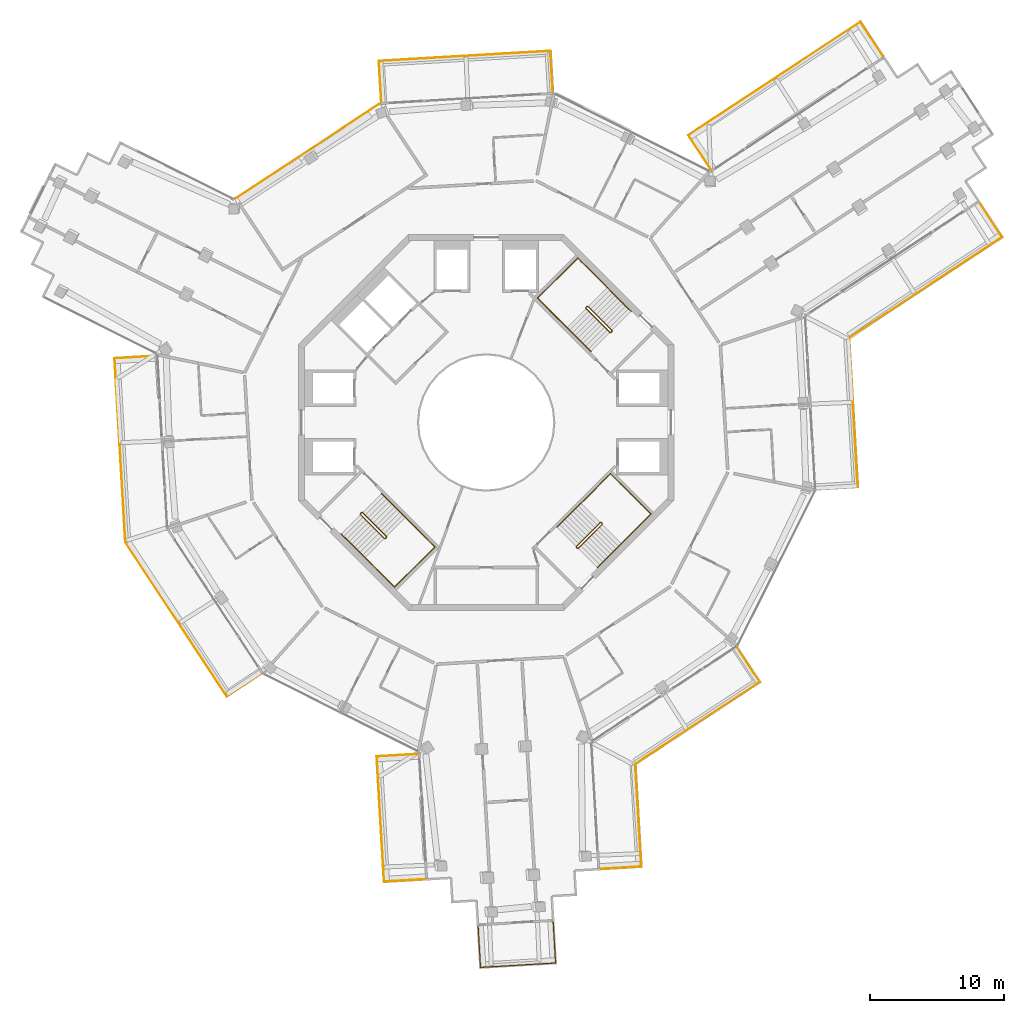
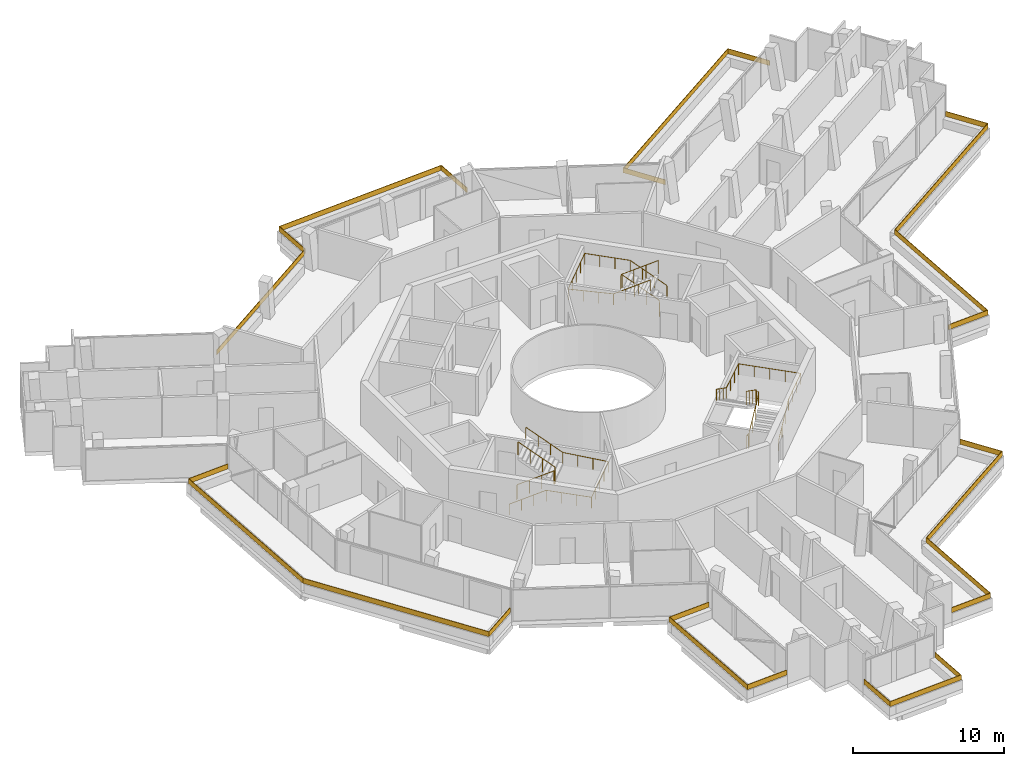
# One storey, part 26 of 26: 14 railings.
"""IFC4 building model written with IfcOpenShell, lengths in metres."""

from ifc_helpers import new_model, si_unit, direction, frame, origin, origin_2d, place, context, subcontext, project, spatial, polyline, rectangle, circle, outline, extrude, material, layer, layer_set, type_object, element, save


model = new_model("IFC4")

# Units and contexts
model_context = context("Model", 3, precision=1e-05, world=origin(), true_north=direction((0.0, 1.0)))
body_context = subcontext(model_context, "Body", "Model", "MODEL_VIEW")
ifc_project = project(units=[si_unit("LENGTHUNIT", "METRE"), si_unit("AREAUNIT", "SQUARE_METRE"), si_unit("VOLUMEUNIT", "CUBIC_METRE"), si_unit("PLANEANGLEUNIT", "RADIAN"), si_unit("MASSUNIT", "GRAM", prefix="KILO")], contexts=[model_context])

# Site, building, storey
site_placement = place(None, origin())
site = spatial("IfcSite", under=ifc_project, at=site_placement, CompositionType="ELEMENT")
building_placement = place(site_placement, origin())
building = spatial("IfcBuilding", under=site, at=building_placement, Name="Verdalira Terraces Hotel", CompositionType="ELEMENT")
storey_placement = place(building_placement, frame((0.0, 0.0, 291.5)))
storey = spatial("IfcBuildingStorey", under=building, at=storey_placement, Name="L72", CompositionType="ELEMENT", Elevation=291.5)

# Railings
ifc_material_1 = material(Name="Laminated glass", Category="glass")
ifc_layer = layer(ifc_material_1, 0.0400390625)
ifc_layer_set = layer_set([ifc_layer], Name="Balcony glass guard 400")
railing_type_1 = type_object("IfcRailingType", Name="Balcony glass guard 400", PredefinedType="GUARDRAIL", material=ifc_layer_set)
railing_1_placement = place(storey_placement, frame((0.0, 0.0, 0.699951)))
element("IfcRailing", 1, at=railing_1_placement, inside=storey, type_object=railing_type_1, Name="Balcony glass guard", PredefinedType="GUARDRAIL", context=body_context, shape_type="SweptSolid", body=[
    extrude(outline(polyline([(-27.665283, 4.766846), (-26.862061, -8.915039), (-19.325439, -20.362061), (-16.753906, -18.668945), (-16.731934, -18.702393), (-19.336914, -20.41748), (-26.901367, -8.927979), (-27.70752, 4.804443), (-24.593994, 4.987061), (-24.591553, 4.947266), (-27.665283, 4.766846)])), origin(), (0.0, 0.0, 1.0), 0.400146),
])
railing_2_placement = place(storey_placement, frame((0.0, 0.0, 0.699951)))
element("IfcRailing", 2, at=railing_2_placement, inside=storey, type_object=railing_type_1, Name="Balcony glass guard", PredefinedType="GUARDRAIL", context=body_context, shape_type="SweptSolid", body=[
    extrude(outline(polyline([(-8.134766, -24.897949), (-7.589111, -34.189453), (-4.515625, -34.009033), (-4.513184, -34.048828), (-7.626709, -34.231689), (-8.177002, -24.860352), (-5.063477, -24.67749), (-5.061035, -24.717529), (-8.134766, -24.897949)])), origin(), (0.0, 0.0, 1.0), 0.400146),
])
railing_3_placement = place(storey_placement, frame((0.0, 0.0, 0.699951)))
element("IfcRailing", 3, at=railing_3_placement, inside=storey, type_object=railing_type_1, Name="Balcony glass guard", PredefinedType="GUARDRAIL", context=body_context, shape_type="SweptSolid", body=[
    extrude(outline(polyline([(-0.402344, -40.579102), (5.148193, -40.253174), (4.967529, -37.179688), (5.007568, -37.177246), (5.19043, -40.290771), (-0.439941, -40.621338), (-0.622803, -37.507812), (-0.582764, -37.505371), (-0.402344, -40.579102)])), origin(), (0.0, 0.0, 1.0), 0.400146),
])
railing_4_placement = place(storey_placement, frame((0.0, 0.0, 0.699951)))
element("IfcRailing", 4, at=railing_4_placement, inside=storey, type_object=railing_type_1, Name="Balcony glass guard", PredefinedType="GUARDRAIL", context=body_context, shape_type="SweptSolid", body=[
    extrude(outline(polyline([(11.537842, -33.066406), (11.0896, -25.43042), (20.362061, -19.325439), (18.668945, -16.753906), (18.702393, -16.731934), (20.41748, -19.336914), (11.130859, -25.450928), (11.580078, -33.104004), (8.466553, -33.286865), (8.464111, -33.246826), (11.537842, -33.066406)])), origin(), (0.0, 0.0, 1.0), 0.400146),
])
railing_5_placement = place(storey_placement, frame((0.0, 0.0, 0.699951)))
element("IfcRailing", 5, at=railing_5_placement, inside=storey, type_object=railing_type_1, Name="Balcony glass guard", PredefinedType="GUARDRAIL", context=body_context, shape_type="SweptSolid", body=[
    extrude(outline(polyline([(27.665283, -4.766846), (27.014648, 6.315918), (38.414795, 13.821533), (36.72168, 16.393311), (36.755127, 16.415283), (38.470215, 13.810303), (27.055908, 6.295166), (27.70752, -4.804443), (24.593994, -4.987061), (24.591553, -4.947266), (27.665283, -4.766846)])), origin(), (0.0, 0.0, 1.0), 0.400146),
])
railing_6_placement = place(storey_placement, frame((0.0, 0.0, 0.699951)))
element("IfcRailing", 6, at=railing_6_placement, inside=storey, type_object=railing_type_1, Name="Balcony glass guard", PredefinedType="GUARDRAIL", context=body_context, shape_type="SweptSolid", body=[
    extrude(outline(polyline([(27.878906, 29.824707), (15.093506, 21.407227), (16.786621, 18.835449), (16.753174, 18.813477), (15.038086, 21.418457), (27.890137, 29.880127), (29.605469, 27.274902), (29.572021, 27.25293), (27.878906, 29.824707)])), origin(), (0.0, 0.0, 1.0), 0.400146),
])
railing_7_placement = place(storey_placement, frame((0.0, 0.0, 0.699951)))
element("IfcRailing", 7, at=railing_7_placement, inside=storey, type_object=railing_type_1, Name="Balcony glass guard", PredefinedType="GUARDRAIL", context=body_context, shape_type="SweptSolid", body=[
    extrude(outline(polyline([(4.766846, 27.665283), (-7.971436, 26.91748), (-7.790771, 23.84375), (-7.830811, 23.841309), (-8.013672, 26.955078), (4.804443, 27.70752), (4.987061, 24.593994), (4.947266, 24.591553), (4.766846, 27.665283)])), origin(), (0.0, 0.0, 1.0), 0.400146),
])
railing_8_placement = place(storey_placement, frame((-13.312012, 20.219482, 0.699951), z_axis=(0.0, 0.0, 1.0), x_axis=(-0.835231968, -0.549897772, 0.0)))
element("IfcRailing", 8, at=railing_8_placement, inside=storey, type_object=railing_type_1, Name="Loggia glass guard", PredefinedType="GUARDRAIL", context=body_context, shape_type="SweptSolid", body=[
    extrude(rectangle(XDim=12.840088, YDim=0.040039, at=origin_2d()), origin(), (0.0, 0.0, 1.0), 0.399902),
])
ifc_material_2 = material(Name="Stainless steel", Category="steel")
railing_type_2 = type_object("IfcRailingType", Name="Stair guard 1100", PredefinedType="GUARDRAIL", material=ifc_material_2)
railing_9_placement = place(storey_placement, frame((9.369141, 6.78833, 0.0)))
element("IfcRailing", 9, at=railing_9_placement, inside=storey, type_object=railing_type_2, Name="L72 ST1 stair guard 1", PredefinedType="GUARDRAIL", context=body_context, shape_type="SweptSolid", body=[
    extrude(circle(Radius=0.023926, at=origin_2d()), frame((0.0, 0.0, 1.076172), z_axis=(-0.707106781, -0.707106781, 0.0), x_axis=(0.707106781, -0.707106781, 0.0)), (0.0, 0.0, 1.0), 0.100098),
    extrude(circle(Radius=0.023926, at=origin_2d()), frame((-0.070801, -0.070801, 1.076172), z_axis=(0.300162975, 0.599290904, 0.742127078), x_axis=(-0.894118129, 0.447831187, 0.0)), (0.0, 0.0, 1.0), 0.23584),
    extrude(circle(Radius=0.023926, at=origin_2d()), frame((0.0, 0.070557, 1.250977), z_axis=(-0.599637504, 0.599637504, 0.52997144), x_axis=(-0.707106781, -0.707106781, 0.0)), (0.0, 0.0, 1.0), 2.97168),
    extrude(circle(Radius=0.023926, at=origin_2d()), frame((-1.781982, 1.852539, 2.826172), z_axis=(-1.0, 0.0, 0.0), x_axis=(0.0, -1.0, 0.0)), (0.0, 0.0, 1.0), 0.070557),
    extrude(circle(Radius=0.023926, at=origin_2d()), frame((-1.852539, 1.852539, 2.826172), z_axis=(-0.707106781, -0.707106781, 0.0), x_axis=(0.707106781, -0.707106781, 0.0)), (0.0, 0.0, 1.0), 0.100098),
    extrude(circle(Radius=0.023926, at=origin_2d()), frame((-1.92334, 1.781738, 2.826172), z_axis=(0.0, -0.373842709, 0.927492118), x_axis=(1.0, 0.0, 0.0)), (0.0, 0.0, 1.0), 0.188721),
    extrude(circle(Radius=0.023926, at=origin_2d()), frame((-1.92334, 1.711182, 3.000977), z_axis=(0.599637504, -0.599637504, 0.52997144), x_axis=(0.707106781, 0.707106781, 0.0)), (0.0, 0.0, 1.0), 2.97168),
    extrude(circle(Radius=0.020996, at=origin_2d()), origin(), (0.0, 0.0, 1.0), 1.052002),
    extrude(circle(Radius=0.020996, at=origin_2d()), frame((-0.070801, -0.070801, 0.0)), (0.0, 0.0, 1.0), 1.052002),
    extrude(circle(Radius=0.020996, at=origin_2d()), frame((0.0, 0.070557, 0.175049)), (0.0, 0.0, 1.0), 1.052002),
    extrude(circle(Radius=0.020996, at=origin_2d()), frame((-0.593994, 0.664551, 0.699951)), (0.0, 0.0, 1.0), 1.052002),
    extrude(circle(Radius=0.020996, at=origin_2d()), frame((-1.187988, 1.258545, 1.225098)), (0.0, 0.0, 1.0), 1.052002),
    extrude(circle(Radius=0.020996, at=origin_2d()), frame((-1.781982, 1.852539, 1.75)), (0.0, 0.0, 1.0), 1.052002),
    extrude(circle(Radius=0.020996, at=origin_2d()), frame((-1.852539, 1.852539, 1.75)), (0.0, 0.0, 1.0), 1.052002),
    extrude(circle(Radius=0.020996, at=origin_2d()), frame((-1.92334, 1.781738, 1.75)), (0.0, 0.0, 1.0), 1.052002),
    extrude(circle(Radius=0.020996, at=origin_2d()), frame((-1.92334, 1.711182, 1.925049)), (0.0, 0.0, 1.0), 1.052002),
    extrude(circle(Radius=0.020996, at=origin_2d()), frame((-1.329346, 1.117188, 2.449951)), (0.0, 0.0, 1.0), 1.052002),
    extrude(circle(Radius=0.020996, at=origin_2d()), frame((-0.735352, 0.523193, 2.975098)), (0.0, 0.0, 1.0), 1.052002),
    extrude(circle(Radius=0.020996, at=origin_2d()), frame((-0.141357, -0.070801, 3.5)), (0.0, 0.0, 1.0), 1.052002),
])
railing_10_placement = place(storey_placement, frame((-9.369141, -6.78833, 0.0)))
element("IfcRailing", 10, at=railing_10_placement, inside=storey, type_object=railing_type_2, Name="L72 ST2 stair guard 1", PredefinedType="GUARDRAIL", context=body_context, shape_type="SweptSolid", body=[
    extrude(circle(Radius=0.023926, at=origin_2d()), frame((0.0, 0.0, 1.076172), z_axis=(0.707106781, 0.707106781, 0.0), x_axis=(-0.707106781, 0.707106781, 0.0)), (0.0, 0.0, 1.0), 0.100098),
    extrude(circle(Radius=0.023926, at=origin_2d()), frame((0.070801, 0.070801, 1.076172), z_axis=(-0.300162975, -0.599290904, 0.742127078), x_axis=(0.894118129, -0.447831187, 0.0)), (0.0, 0.0, 1.0), 0.23584),
    extrude(circle(Radius=0.023926, at=origin_2d()), frame((0.0, -0.070557, 1.250977), z_axis=(0.599637504, -0.599637504, 0.52997144), x_axis=(0.707106781, 0.707106781, 0.0)), (0.0, 0.0, 1.0), 2.97168),
    extrude(circle(Radius=0.023926, at=origin_2d()), frame((1.781982, -1.852539, 2.826172), z_axis=(1.0, 0.0, 0.0), x_axis=(0.0, 1.0, 0.0)), (0.0, 0.0, 1.0), 0.070557),
    extrude(circle(Radius=0.023926, at=origin_2d()), frame((1.852539, -1.852539, 2.826172), z_axis=(0.707106781, 0.707106781, 0.0), x_axis=(-0.707106781, 0.707106781, 0.0)), (0.0, 0.0, 1.0), 0.100098),
    extrude(circle(Radius=0.023926, at=origin_2d()), frame((1.92334, -1.781738, 2.826172), z_axis=(0.0, 0.373842709, 0.927492118), x_axis=(-1.0, 0.0, 0.0)), (0.0, 0.0, 1.0), 0.188721),
    extrude(circle(Radius=0.023926, at=origin_2d()), frame((1.92334, -1.711182, 3.000977), z_axis=(-0.599637504, 0.599637504, 0.52997144), x_axis=(-0.707106781, -0.707106781, 0.0)), (0.0, 0.0, 1.0), 2.97168),
    extrude(circle(Radius=0.020996, at=origin_2d()), origin(), (0.0, 0.0, 1.0), 1.052002),
    extrude(circle(Radius=0.020996, at=origin_2d()), frame((0.070801, 0.070801, 0.0)), (0.0, 0.0, 1.0), 1.052002),
    extrude(circle(Radius=0.020996, at=origin_2d()), frame((0.0, -0.070557, 0.175049)), (0.0, 0.0, 1.0), 1.052002),
    extrude(circle(Radius=0.020996, at=origin_2d()), frame((0.593994, -0.664551, 0.699951)), (0.0, 0.0, 1.0), 1.052002),
    extrude(circle(Radius=0.020996, at=origin_2d()), frame((1.187988, -1.258545, 1.225098)), (0.0, 0.0, 1.0), 1.052002),
    extrude(circle(Radius=0.020996, at=origin_2d()), frame((1.781982, -1.852539, 1.75)), (0.0, 0.0, 1.0), 1.052002),
    extrude(circle(Radius=0.020996, at=origin_2d()), frame((1.852539, -1.852539, 1.75)), (0.0, 0.0, 1.0), 1.052002),
    extrude(circle(Radius=0.020996, at=origin_2d()), frame((1.92334, -1.781738, 1.75)), (0.0, 0.0, 1.0), 1.052002),
    extrude(circle(Radius=0.020996, at=origin_2d()), frame((1.92334, -1.711182, 1.925049)), (0.0, 0.0, 1.0), 1.052002),
    extrude(circle(Radius=0.020996, at=origin_2d()), frame((1.329346, -1.117188, 2.449951)), (0.0, 0.0, 1.0), 1.052002),
    extrude(circle(Radius=0.020996, at=origin_2d()), frame((0.735352, -0.523193, 2.975098)), (0.0, 0.0, 1.0), 1.052002),
    extrude(circle(Radius=0.020996, at=origin_2d()), frame((0.141357, 0.070801, 3.5)), (0.0, 0.0, 1.0), 1.052002),
])
railing_11_placement = place(storey_placement, frame((6.78833, -9.369141, 0.0)))
element("IfcRailing", 11, at=railing_11_placement, inside=storey, type_object=railing_type_2, Name="L72 ST3 stair guard 1", PredefinedType="GUARDRAIL", context=body_context, shape_type="SweptSolid", body=[
    extrude(circle(Radius=0.023926, at=origin_2d()), frame((0.0, 0.0, 1.076172), z_axis=(-0.707106781, 0.707106781, 0.0), x_axis=(-0.707106781, -0.707106781, 0.0)), (0.0, 0.0, 1.0), 0.100098),
    extrude(circle(Radius=0.023926, at=origin_2d()), frame((-0.070801, 0.070801, 1.076172), z_axis=(0.599290904, -0.300162975, 0.742127078), x_axis=(0.447831187, 0.894118129, 0.0)), (0.0, 0.0, 1.0), 0.23584),
    extrude(circle(Radius=0.023926, at=origin_2d()), frame((0.070557, 0.0, 1.250977), z_axis=(0.599637504, 0.599637504, 0.52997144), x_axis=(-0.707106781, 0.707106781, 0.0)), (0.0, 0.0, 1.0), 2.97168),
    extrude(circle(Radius=0.023926, at=origin_2d()), frame((1.852539, 1.781982, 2.826172), z_axis=(0.0, 1.0, 0.0), x_axis=(-1.0, 0.0, 0.0)), (0.0, 0.0, 1.0), 0.070557),
    extrude(circle(Radius=0.023926, at=origin_2d()), frame((1.852539, 1.852539, 2.826172), z_axis=(-0.707106781, 0.707106781, 0.0), x_axis=(-0.707106781, -0.707106781, 0.0)), (0.0, 0.0, 1.0), 0.100098),
    extrude(circle(Radius=0.023926, at=origin_2d()), frame((1.781738, 1.92334, 2.826172), z_axis=(-0.373842709, 0.0, 0.927492118), x_axis=(0.0, -1.0, 0.0)), (0.0, 0.0, 1.0), 0.188721),
    extrude(circle(Radius=0.023926, at=origin_2d()), frame((1.711182, 1.92334, 3.000977), z_axis=(-0.599637504, -0.599637504, 0.52997144), x_axis=(0.707106781, -0.707106781, 0.0)), (0.0, 0.0, 1.0), 2.97168),
    extrude(circle(Radius=0.020996, at=origin_2d()), origin(), (0.0, 0.0, 1.0), 1.052002),
    extrude(circle(Radius=0.020996, at=origin_2d()), frame((-0.070801, 0.070801, 0.0)), (0.0, 0.0, 1.0), 1.052002),
    extrude(circle(Radius=0.020996, at=origin_2d()), frame((0.070557, 0.0, 0.175049)), (0.0, 0.0, 1.0), 1.052002),
    extrude(circle(Radius=0.020996, at=origin_2d()), frame((0.664551, 0.593994, 0.699951)), (0.0, 0.0, 1.0), 1.052002),
    extrude(circle(Radius=0.020996, at=origin_2d()), frame((1.258545, 1.187988, 1.225098)), (0.0, 0.0, 1.0), 1.052002),
    extrude(circle(Radius=0.020996, at=origin_2d()), frame((1.852539, 1.781982, 1.75)), (0.0, 0.0, 1.0), 1.052002),
    extrude(circle(Radius=0.020996, at=origin_2d()), frame((1.852539, 1.852539, 1.75)), (0.0, 0.0, 1.0), 1.052002),
    extrude(circle(Radius=0.020996, at=origin_2d()), frame((1.781738, 1.92334, 1.75)), (0.0, 0.0, 1.0), 1.052002),
    extrude(circle(Radius=0.020996, at=origin_2d()), frame((1.711182, 1.92334, 1.925049)), (0.0, 0.0, 1.0), 1.052002),
    extrude(circle(Radius=0.020996, at=origin_2d()), frame((1.117188, 1.329346, 2.449951)), (0.0, 0.0, 1.0), 1.052002),
    extrude(circle(Radius=0.020996, at=origin_2d()), frame((0.523193, 0.735352, 2.975098)), (0.0, 0.0, 1.0), 1.052002),
    extrude(circle(Radius=0.020996, at=origin_2d()), frame((-0.070801, 0.141357, 3.5)), (0.0, 0.0, 1.0), 1.052002),
])
ifc_material_3 = material(Name="Stainless steel", Category="steel")
railing_type_3 = type_object("IfcRailingType", Name="Stair handrail 900", PredefinedType="HANDRAIL", material=ifc_material_3)
railing_12_placement = place(storey_placement, frame((10.801025, 8.290771, 0.175049)))
element("IfcRailing", 12, at=railing_12_placement, inside=storey, type_object=railing_type_3, Name="L72 ST1 stair handrail 1", PredefinedType="HANDRAIL", context=body_context, shape_type="SweptSolid", body=[
    extrude(circle(Radius=0.023926, at=origin_2d()), frame((0.0, 0.0, 0.875977), z_axis=(-0.599637504, 0.599637504, 0.52997144), x_axis=(-0.707106781, -0.707106781, 0.0)), (0.0, 0.0, 1.0), 2.97168),
    extrude(circle(Radius=0.023926, at=origin_2d()), frame((-1.781982, 1.781982, 2.450684), z_axis=(-0.707106781, 0.707106781, 0.0), x_axis=(-0.707106781, -0.707106781, 0.0)), (0.0, 0.0, 1.0), 3.10498),
    extrude(circle(Radius=0.023926, at=origin_2d()), frame((-3.977539, 3.977539, 2.450684), z_axis=(-0.707106781, -0.707106781, 0.0), x_axis=(0.707106781, -0.707106781, 0.0)), (0.0, 0.0, 1.0), 4.25),
    extrude(circle(Radius=0.023926, at=origin_2d()), frame((-6.982666, 0.972412, 2.450684), z_axis=(0.705985743, -0.705985743, 0.05628731), x_axis=(0.707106781, 0.707106781, 0.0)), (0.0, 0.0, 1.0), 3.109863),
    extrude(circle(Radius=0.023926, at=origin_2d()), frame((-4.787109, -1.223145, 2.625977), z_axis=(0.599637504, -0.599637504, 0.52997144), x_axis=(0.707106781, 0.707106781, 0.0)), (0.0, 0.0, 1.0), 2.97168),
    extrude(circle(Radius=0.020996, at=origin_2d()), origin(), (0.0, 0.0, 1.0), 0.851807),
    extrude(circle(Radius=0.020996, at=origin_2d()), frame((-0.593994, 0.593994, 0.524902)), (0.0, 0.0, 1.0), 0.851807),
    extrude(circle(Radius=0.020996, at=origin_2d()), frame((-1.187988, 1.187988, 1.050049)), (0.0, 0.0, 1.0), 0.851807),
    extrude(circle(Radius=0.020996, at=origin_2d()), frame((-1.781982, 1.781982, 1.574951)), (0.0, 0.0, 1.0), 0.851807),
    extrude(circle(Radius=0.020996, at=origin_2d()), frame((-2.513916, 2.513916, 1.574951)), (0.0, 0.0, 1.0), 0.851807),
    extrude(circle(Radius=0.020996, at=origin_2d()), frame((-3.245605, 3.245605, 1.574951)), (0.0, 0.0, 1.0), 0.851807),
    extrude(circle(Radius=0.020996, at=origin_2d()), frame((-3.977539, 3.977539, 1.574951)), (0.0, 0.0, 1.0), 0.851807),
    extrude(circle(Radius=0.020996, at=origin_2d()), frame((-4.72876, 3.226318, 1.574951)), (0.0, 0.0, 1.0), 0.851807),
    extrude(circle(Radius=0.020996, at=origin_2d()), frame((-5.47998, 2.475098, 1.574951)), (0.0, 0.0, 1.0), 0.851807),
    extrude(circle(Radius=0.020996, at=origin_2d()), frame((-6.231445, 1.723633, 1.574951)), (0.0, 0.0, 1.0), 0.851807),
    extrude(circle(Radius=0.020996, at=origin_2d()), frame((-6.982666, 0.972412, 1.574951)), (0.0, 0.0, 1.0), 0.851807),
    extrude(circle(Radius=0.020996, at=origin_2d()), frame((-6.250732, 0.240479, 1.633301)), (0.0, 0.0, 1.0), 0.851807),
    extrude(circle(Radius=0.020996, at=origin_2d()), frame((-5.519043, -0.491211, 1.69165)), (0.0, 0.0, 1.0), 0.851807),
    extrude(circle(Radius=0.020996, at=origin_2d()), frame((-4.787109, -1.223145, 1.75)), (0.0, 0.0, 1.0), 0.851807),
    extrude(circle(Radius=0.020996, at=origin_2d()), frame((-4.193115, -1.817139, 2.274902)), (0.0, 0.0, 1.0), 0.851807),
    extrude(circle(Radius=0.020996, at=origin_2d()), frame((-3.599121, -2.411133, 2.800049)), (0.0, 0.0, 1.0), 0.851807),
    extrude(circle(Radius=0.020996, at=origin_2d()), frame((-3.005127, -3.005127, 3.324951)), (0.0, 0.0, 1.0), 0.851807),
])
railing_13_placement = place(storey_placement, frame((-10.801025, -8.290771, 0.175049)))
element("IfcRailing", 13, at=railing_13_placement, inside=storey, type_object=railing_type_3, Name="L72 ST2 stair handrail 1", PredefinedType="HANDRAIL", context=body_context, shape_type="SweptSolid", body=[
    extrude(circle(Radius=0.023926, at=origin_2d()), frame((0.0, 0.0, 0.875977), z_axis=(0.599637504, -0.599637504, 0.52997144), x_axis=(0.707106781, 0.707106781, 0.0)), (0.0, 0.0, 1.0), 2.97168),
    extrude(circle(Radius=0.023926, at=origin_2d()), frame((1.781982, -1.781982, 2.450684), z_axis=(0.707106781, -0.707106781, 0.0), x_axis=(0.707106781, 0.707106781, 0.0)), (0.0, 0.0, 1.0), 3.10498),
    extrude(circle(Radius=0.023926, at=origin_2d()), frame((3.977539, -3.977539, 2.450684), z_axis=(0.707106781, 0.707106781, 0.0), x_axis=(-0.707106781, 0.707106781, 0.0)), (0.0, 0.0, 1.0), 4.25),
    extrude(circle(Radius=0.023926, at=origin_2d()), frame((6.982666, -0.972412, 2.450684), z_axis=(-0.705985743, 0.705985743, 0.05628731), x_axis=(-0.707106781, -0.707106781, 0.0)), (0.0, 0.0, 1.0), 3.109863),
    extrude(circle(Radius=0.023926, at=origin_2d()), frame((4.787109, 1.223145, 2.625977), z_axis=(-0.599637504, 0.599637504, 0.52997144), x_axis=(-0.707106781, -0.707106781, 0.0)), (0.0, 0.0, 1.0), 2.97168),
    extrude(circle(Radius=0.020996, at=origin_2d()), origin(), (0.0, 0.0, 1.0), 0.851807),
    extrude(circle(Radius=0.020996, at=origin_2d()), frame((0.593994, -0.593994, 0.524902)), (0.0, 0.0, 1.0), 0.851807),
    extrude(circle(Radius=0.020996, at=origin_2d()), frame((1.187988, -1.187988, 1.050049)), (0.0, 0.0, 1.0), 0.851807),
    extrude(circle(Radius=0.020996, at=origin_2d()), frame((1.781982, -1.781982, 1.574951)), (0.0, 0.0, 1.0), 0.851807),
    extrude(circle(Radius=0.020996, at=origin_2d()), frame((2.513916, -2.513916, 1.574951)), (0.0, 0.0, 1.0), 0.851807),
    extrude(circle(Radius=0.020996, at=origin_2d()), frame((3.245605, -3.245605, 1.574951)), (0.0, 0.0, 1.0), 0.851807),
    extrude(circle(Radius=0.020996, at=origin_2d()), frame((3.977539, -3.977539, 1.574951)), (0.0, 0.0, 1.0), 0.851807),
    extrude(circle(Radius=0.020996, at=origin_2d()), frame((4.72876, -3.226318, 1.574951)), (0.0, 0.0, 1.0), 0.851807),
    extrude(circle(Radius=0.020996, at=origin_2d()), frame((5.47998, -2.475098, 1.574951)), (0.0, 0.0, 1.0), 0.851807),
    extrude(circle(Radius=0.020996, at=origin_2d()), frame((6.231445, -1.723633, 1.574951)), (0.0, 0.0, 1.0), 0.851807),
    extrude(circle(Radius=0.020996, at=origin_2d()), frame((6.982666, -0.972412, 1.574951)), (0.0, 0.0, 1.0), 0.851807),
    extrude(circle(Radius=0.020996, at=origin_2d()), frame((6.250732, -0.240479, 1.633301)), (0.0, 0.0, 1.0), 0.851807),
    extrude(circle(Radius=0.020996, at=origin_2d()), frame((5.519043, 0.491211, 1.69165)), (0.0, 0.0, 1.0), 0.851807),
    extrude(circle(Radius=0.020996, at=origin_2d()), frame((4.787109, 1.223145, 1.75)), (0.0, 0.0, 1.0), 0.851807),
    extrude(circle(Radius=0.020996, at=origin_2d()), frame((4.193115, 1.817139, 2.274902)), (0.0, 0.0, 1.0), 0.851807),
    extrude(circle(Radius=0.020996, at=origin_2d()), frame((3.599121, 2.411133, 2.800049)), (0.0, 0.0, 1.0), 0.851807),
    extrude(circle(Radius=0.020996, at=origin_2d()), frame((3.005127, 3.005127, 3.324951)), (0.0, 0.0, 1.0), 0.851807),
])
railing_14_placement = place(storey_placement, frame((8.290771, -10.801025, 0.175049)))
element("IfcRailing", 14, at=railing_14_placement, inside=storey, type_object=railing_type_3, Name="L72 ST3 stair handrail 1", PredefinedType="HANDRAIL", context=body_context, shape_type="SweptSolid", body=[
    extrude(circle(Radius=0.023926, at=origin_2d()), frame((0.0, 0.0, 0.875977), z_axis=(0.599637504, 0.599637504, 0.52997144), x_axis=(-0.707106781, 0.707106781, 0.0)), (0.0, 0.0, 1.0), 2.97168),
    extrude(circle(Radius=0.023926, at=origin_2d()), frame((1.781982, 1.781982, 2.450684), z_axis=(0.707106781, 0.707106781, 0.0), x_axis=(-0.707106781, 0.707106781, 0.0)), (0.0, 0.0, 1.0), 3.10498),
    extrude(circle(Radius=0.023926, at=origin_2d()), frame((3.977539, 3.977539, 2.450684), z_axis=(-0.707106781, 0.707106781, 0.0), x_axis=(-0.707106781, -0.707106781, 0.0)), (0.0, 0.0, 1.0), 4.25),
    extrude(circle(Radius=0.023926, at=origin_2d()), frame((0.972412, 6.982666, 2.450684), z_axis=(-0.705985743, -0.705985743, 0.05628731), x_axis=(0.707106781, -0.707106781, 0.0)), (0.0, 0.0, 1.0), 3.109863),
    extrude(circle(Radius=0.023926, at=origin_2d()), frame((-1.223145, 4.787109, 2.625977), z_axis=(-0.599637504, -0.599637504, 0.52997144), x_axis=(0.707106781, -0.707106781, 0.0)), (0.0, 0.0, 1.0), 2.97168),
    extrude(circle(Radius=0.020996, at=origin_2d()), origin(), (0.0, 0.0, 1.0), 0.851807),
    extrude(circle(Radius=0.020996, at=origin_2d()), frame((0.593994, 0.593994, 0.524902)), (0.0, 0.0, 1.0), 0.851807),
    extrude(circle(Radius=0.020996, at=origin_2d()), frame((1.187988, 1.187988, 1.050049)), (0.0, 0.0, 1.0), 0.851807),
    extrude(circle(Radius=0.020996, at=origin_2d()), frame((1.781982, 1.781982, 1.574951)), (0.0, 0.0, 1.0), 0.851807),
    extrude(circle(Radius=0.020996, at=origin_2d()), frame((2.513916, 2.513916, 1.574951)), (0.0, 0.0, 1.0), 0.851807),
    extrude(circle(Radius=0.020996, at=origin_2d()), frame((3.245605, 3.245605, 1.574951)), (0.0, 0.0, 1.0), 0.851807),
    extrude(circle(Radius=0.020996, at=origin_2d()), frame((3.977539, 3.977539, 1.574951)), (0.0, 0.0, 1.0), 0.851807),
    extrude(circle(Radius=0.020996, at=origin_2d()), frame((3.226318, 4.72876, 1.574951)), (0.0, 0.0, 1.0), 0.851807),
    extrude(circle(Radius=0.020996, at=origin_2d()), frame((2.475098, 5.47998, 1.574951)), (0.0, 0.0, 1.0), 0.851807),
    extrude(circle(Radius=0.020996, at=origin_2d()), frame((1.723633, 6.231445, 1.574951)), (0.0, 0.0, 1.0), 0.851807),
    extrude(circle(Radius=0.020996, at=origin_2d()), frame((0.972412, 6.982666, 1.574951)), (0.0, 0.0, 1.0), 0.851807),
    extrude(circle(Radius=0.020996, at=origin_2d()), frame((0.240479, 6.250732, 1.633301)), (0.0, 0.0, 1.0), 0.851807),
    extrude(circle(Radius=0.020996, at=origin_2d()), frame((-0.491211, 5.519043, 1.69165)), (0.0, 0.0, 1.0), 0.851807),
    extrude(circle(Radius=0.020996, at=origin_2d()), frame((-1.223145, 4.787109, 1.75)), (0.0, 0.0, 1.0), 0.851807),
    extrude(circle(Radius=0.020996, at=origin_2d()), frame((-1.817139, 4.193115, 2.274902)), (0.0, 0.0, 1.0), 0.851807),
    extrude(circle(Radius=0.020996, at=origin_2d()), frame((-2.411133, 3.599121, 2.800049)), (0.0, 0.0, 1.0), 0.851807),
    extrude(circle(Radius=0.020996, at=origin_2d()), frame((-3.005127, 3.005127, 3.324951)), (0.0, 0.0, 1.0), 0.851807),
])

save(model, "model.ifc")
